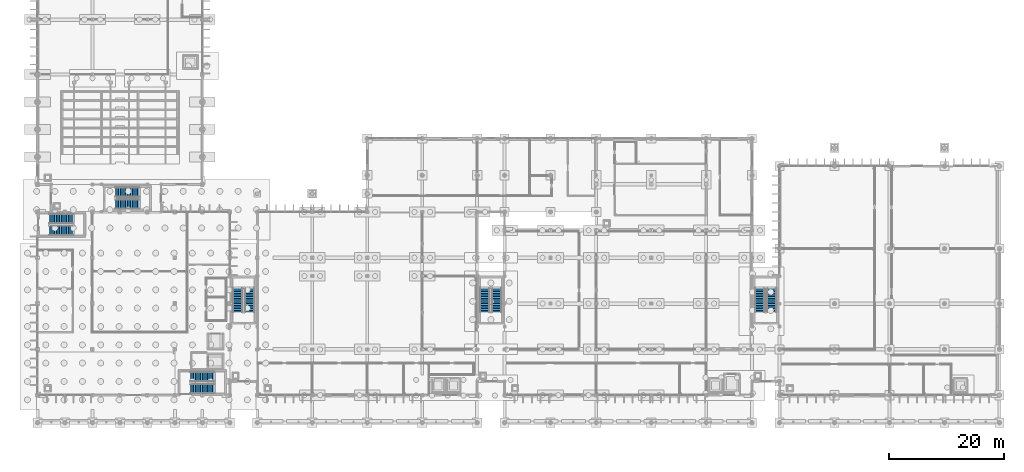
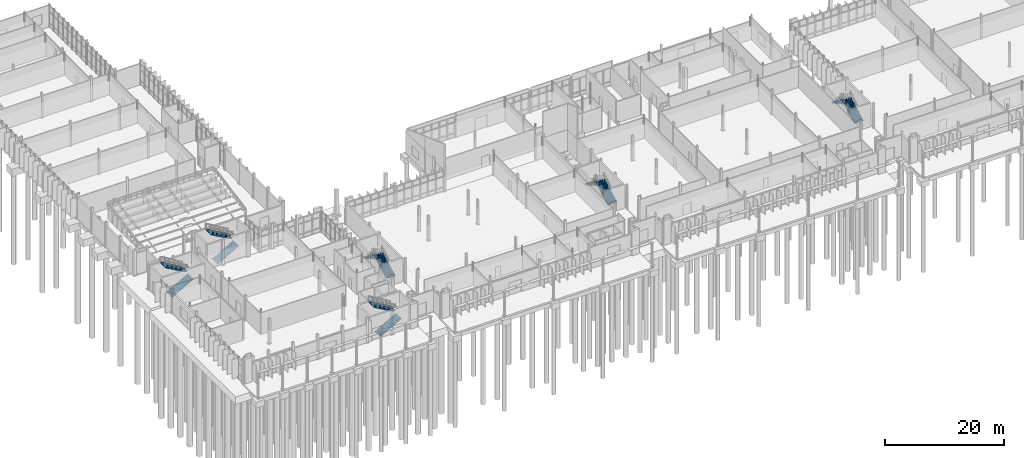
# One storey, part 66 of 111: 12 stair flights, 6 elements without a shape of their own.
"""IFC4 building model written with IfcOpenShell, lengths in metres."""

import ifcopenshell
import ifcopenshell.guid

model = None  # the IFC model being written
_history = None  # IfcOwnerHistory: only IFC2X3 demands one
_inside = {}  # id of a spatial element -> (the spatial element, [elements in it])
_under = {}  # id of a project, library or spatial element -> (it, [spatial elements below it])
_declared = {}  # id of a project -> (the project, [libraries it declares])
_typed = {}  # id of a type object -> (the type object, [elements of that type])
_made_of = {}  # id of a material, layer set ... -> (it, [elements and type objects made of it])


def new_model(schema):
    """Start an empty IFC model of exactly this schema.

    Asked for "IFC4X3", IfcOpenShell would pick the latest addendum, in which some entities
    have other attributes; the version numbers below select the first issue.
    IFC2X3 requires an IfcOwnerHistory on every rooted entity: one is made here for all.
    """
    global model, _history
    if schema == "IFC4X3":
        model = ifcopenshell.file(schema_version=(4, 3, 0, 0))
    else:
        model = ifcopenshell.file(schema=schema)
    _inside.clear()
    _under.clear()
    _declared.clear()
    _typed.clear()
    _made_of.clear()
    _history = None
    if model.schema == "IFC2X3":
        org = make("IfcOrganization", Name="unknown")
        user = make(
            "IfcPersonAndOrganization",
            ThePerson=make("IfcPerson", FamilyName="unknown"),
            TheOrganization=org,
        )
        app = make(
            "IfcApplication",
            ApplicationDeveloper=org,
            Version="unknown",
            ApplicationFullName="unknown",
            ApplicationIdentifier="unknown",
        )
        _history = make(
            "IfcOwnerHistory",
            OwningUser=user,
            OwningApplication=app,
            ChangeAction="ADDED",
            CreationDate=0,
        )
    return model


def make(cls, **values):
    """One entity of the class cls with the attributes given. An attribute that is None is left unset."""
    return model.create_entity(
        cls, **{name: value for name, value in values.items() if value is not None}
    )


def rooted(cls, **values):
    """An entity with a GlobalId (a new one), such as an element, a storey or a relation."""
    return make(cls, GlobalId=ifcopenshell.guid.new(), OwnerHistory=_history, **values)


def si_unit(unit_type, name, prefix=None):
    """IfcSIUnit, for example si_unit("LENGTHUNIT", "METRE", prefix="MILLI")."""
    return make("IfcSIUnit", UnitType=unit_type, Prefix=prefix, Name=name)


def assignment(units):
    """IfcUnitAssignment: the units of a project."""
    return None if units is None else make("IfcUnitAssignment", Units=units)


def point(xyz):
    """IfcCartesianPoint."""
    return None if xyz is None else make("IfcCartesianPoint", Coordinates=xyz)


def direction(xyz):
    """IfcDirection."""
    return None if xyz is None else make("IfcDirection", DirectionRatios=xyz)


def frame(location, z_axis=None, x_axis=None):
    """IfcAxis2Placement3D, a coordinate frame: its origin and axes. An axis left out is left unset."""
    return make(
        "IfcAxis2Placement3D",
        Location=point(location),
        Axis=direction(z_axis),
        RefDirection=direction(x_axis),
    )


def origin():
    """The frame at (0, 0, 0) with its axes left unset."""
    return frame((0.0, 0.0, 0.0))


def place(relative_to, where):
    """IfcLocalPlacement: puts the frame where relative to a parent placement (None: the world)."""
    return make(
        "IfcLocalPlacement", PlacementRelTo=relative_to, RelativePlacement=where
    )


def context(
    kind, dimensions, precision=None, world=None, true_north=None, identifier=None
):
    """IfcGeometricRepresentationContext, for example the 3D "Model" context."""
    return make(
        "IfcGeometricRepresentationContext",
        ContextIdentifier=identifier,
        ContextType=kind,
        CoordinateSpaceDimension=dimensions,
        Precision=precision,
        WorldCoordinateSystem=world,
        TrueNorth=true_north,
    )


def subcontext(parent, identifier, kind, view, scale=None):
    """IfcGeometricRepresentationSubContext, for example "Body" below "Model"."""
    return make(
        "IfcGeometricRepresentationSubContext",
        ContextIdentifier=identifier,
        ContextType=kind,
        ParentContext=parent,
        TargetScale=scale,
        TargetView=view,
    )


def project(units=None, contexts=None):
    """IfcProject with its units and contexts."""
    return rooted(
        "IfcProject",
        Name="project",
        RepresentationContexts=contexts,
        UnitsInContext=assignment(units),
    )


def spatial(cls, under=None, at=None, **own):
    """A site, building, storey or space (cls), placed at a placement, below another one or the project."""
    s = rooted(cls, ObjectPlacement=at, **own)
    if under is not None:
        _under.setdefault(under.id(), (under, []))[1].append(s)
    return s


def polyline(points):
    """IfcPolyline through the points."""
    return make("IfcPolyline", Points=[point(p) for p in points])


def outline(outer, holes=None, kind="AREA"):
    """IfcArbitraryClosedProfileDef: a profile drawn as a closed curve; with holes, ...WithVoids."""
    if holes is None:
        return make("IfcArbitraryClosedProfileDef", ProfileType=kind, OuterCurve=outer)
    return make(
        "IfcArbitraryProfileDefWithVoids",
        ProfileType=kind,
        OuterCurve=outer,
        InnerCurves=holes,
    )


def extrude(swept, where, along, depth):
    """IfcExtrudedAreaSolid: the profile swept, set in the frame where, extruded along a direction by depth."""
    return make(
        "IfcExtrudedAreaSolid",
        SweptArea=swept,
        Position=where,
        ExtrudedDirection=direction(along),
        Depth=depth,
    )


def shape(context_of_items, identifier, shape_type, items):
    """IfcShapeRepresentation: the items that make up one representation, for example the "Body"."""
    return make(
        "IfcShapeRepresentation",
        ContextOfItems=context_of_items,
        RepresentationIdentifier=identifier,
        RepresentationType=shape_type,
        Items=items,
    )


def material(Name=None, Category=None):
    """IfcMaterial."""
    return make("IfcMaterial", Name=Name, Category=Category)


def made_of(thing, what):
    """Note that an element or type object is made of a material, layer set ...; save() writes the relation."""
    if what is not None:
        _made_of.setdefault(what.id(), (what, []))[1].append(thing)
    return thing


def type_object(cls, material=None, **own):
    """A type object (cls), such as IfcWallType, which elements share."""
    return made_of(rooted(cls, **own), material)


def element(
    cls,
    number,
    at=None,
    inside=None,
    cuts=None,
    type_object=None,
    material=None,
    context=None,
    identifier="Body",
    shape_type=None,
    held_by="IfcProductDefinitionShape",
    body=None,
    shapes=None,
    **own,
):
    """One element of the class cls, such as IfcWall. Its Tag is "e" and its number.

    at: its placement. inside: the storey or other place that contains it. cuts: it is an
    opening in that element (IfcRelVoidsElement). A single representation is given by context,
    identifier, shape_type and body (its items); several are given by shapes. held_by: the class
    of the entity that holds the representations. save() writes the other relations.
    """
    e = rooted(cls, Tag="e%d" % number, ObjectPlacement=at, **own)
    if body is not None:
        shapes = [shape(context, identifier, shape_type, body)]
    if shapes is not None:
        e.Representation = make(held_by, Representations=shapes)
    if inside is not None:
        _inside.setdefault(inside.id(), (inside, []))[1].append(e)
    if cuts is not None:
        rooted(
            "IfcRelVoidsElement", RelatingBuildingElement=cuts, RelatedOpeningElement=e
        )
    if type_object is not None:
        _typed.setdefault(type_object.id(), (type_object, []))[1].append(e)
    return made_of(e, material)


def aggregate(whole, parts):
    """IfcRelAggregates: a whole, such as a stair, and the parts it consists of."""
    return rooted("IfcRelAggregates", RelatingObject=whole, RelatedObjects=parts)


def save(model, path):
    """Write the relations noted so far, then the file.

    IfcRelAggregates (storeys below a building ...), IfcRelContainedInSpatialStructure (elements
    in a storey), IfcRelDefinesByType, IfcRelAssociatesMaterial and IfcRelDeclares: one each for
    every whole, place, type object, material and project.
    """
    for whole, parts in _under.values():
        aggregate(whole, parts)
    for where, things in _inside.values():
        rooted(
            "IfcRelContainedInSpatialStructure",
            RelatedElements=things,
            RelatingStructure=where,
        )
    for kind, things in _typed.values():
        rooted("IfcRelDefinesByType", RelatedObjects=things, RelatingType=kind)
    for what, things in _made_of.values():
        rooted("IfcRelAssociatesMaterial", RelatedObjects=things, RelatingMaterial=what)
    for by, libraries in _declared.values():
        rooted("IfcRelDeclares", RelatingContext=by, RelatedDefinitions=libraries)
    model.write(path)


model = new_model("IFC4")

# Units and contexts
model_context = context("Model", 3, precision=1e-05, world=origin(), true_north=direction((0.0, 1.0)))
body_context = subcontext(model_context, "Body", "Model", "MODEL_VIEW")
ifc_project = project(units=[si_unit("LENGTHUNIT", "METRE"), si_unit("AREAUNIT", "SQUARE_METRE"), si_unit("VOLUMEUNIT", "CUBIC_METRE"), si_unit("PLANEANGLEUNIT", "RADIAN"), si_unit("MASSUNIT", "GRAM", prefix="KILO")], contexts=[model_context])

# Site, building, storey
site_placement = place(None, origin())
site = spatial("IfcSite", under=ifc_project, at=site_placement, CompositionType="ELEMENT")
building_placement = place(site_placement, origin())
building = spatial("IfcBuilding", under=site, at=building_placement, Name="Dunescarp Central Library", CompositionType="ELEMENT")
storey_placement = place(building_placement, origin())
storey = spatial("IfcBuildingStorey", under=building, at=storey_placement, Name="L00", CompositionType="ELEMENT", Elevation=0.0)

# Stair, stair flights
ifc_material = material(Name="Concrete C35/45", Category="concrete")
stair_type = type_object("IfcStairType", Name="ARC-STR-L00", PredefinedType="HALF_TURN_STAIR", material=ifc_material)
stair_1_placement = place(storey_placement, origin())
stair_1 = element("IfcStair", 1, at=stair_1_placement, inside=storey, type_object=stair_type, Name="L00 Protected escape stair ST-1", PredefinedType="HALF_TURN_STAIR")
stair_flight_type = type_object("IfcStairFlightType", Name="ARC-FLT-L00", PredefinedType="STRAIGHT", material=ifc_material)
stair_flight_1_placement = place(storey_placement, frame((26.699951171875, 5.9599609375, 0.0), z_axis=(0.0, 0.0, 1.0), x_axis=(1.0, 0.0, 0.0)))
stair_flight_1 = element("IfcStairFlight", 2, at=stair_flight_1_placement, type_object=stair_flight_type, Name="ST-1 flight 1", NumberOfRisers=15, NumberOfTreads=14, PredefinedType="STRAIGHT", RiserHeight=0.17, TreadLength=0.3, context=body_context, shape_type="SweptSolid", body=[
    extrude(outline(polyline([(0.0, 0.0), (0.0, 0.169921875), (0.300048828125, 0.169921875), (0.300048828125, 0.340087890625), (0.60009765625, 0.340087890625), (0.60009765625, 0.510009765625), (0.89990234375, 0.510009765625), (0.89990234375, 0.679931640625), (1.199951171875, 0.679931640625), (1.199951171875, 0.85009765625), (1.5, 0.85009765625), (1.5, 1.02001953125), (1.800048828125, 1.02001953125), (1.800048828125, 1.18994140625), (2.10009765625, 1.18994140625), (2.10009765625, 1.360107421875), (2.39990234375, 1.360107421875), (2.39990234375, 1.530029296875), (2.699951171875, 1.530029296875), (2.699951171875, 1.699951171875), (3.0, 1.699951171875), (3.0, 1.8701171875), (3.300048828125, 1.8701171875), (3.300048828125, 2.0400390625), (3.60009765625, 2.0400390625), (3.60009765625, 2.2099609375), (3.89990234375, 2.2099609375), (3.89990234375, 2.3798828125), (4.199951171875, 2.3798828125), (4.199951171875, 2.550048828125), (4.199951171875, 2.173095703125), (0.364990234375, 0.0), (0.0, 0.0)])), frame((0.0, 0.85986328125, 0.0), z_axis=(0.0, -1.0, 0.0), x_axis=(1.0, 0.0, 0.0)), (0.0, 0.0, 1.0), 1.719970703125),
])
stair_flight_2_placement = place(storey_placement, frame((30.89990234375, 8.0400390625, 2.550048828125), z_axis=(0.0, 0.0, 1.0), x_axis=(-1.0, 0.0, 0.0)))
stair_flight_2 = element("IfcStairFlight", 3, at=stair_flight_2_placement, type_object=stair_flight_type, Name="ST-1 flight 2", NumberOfRisers=15, NumberOfTreads=14, PredefinedType="STRAIGHT", RiserHeight=0.17, TreadLength=0.3, context=body_context, shape_type="SweptSolid", body=[
    extrude(outline(polyline([(0.0, 0.0), (0.0, 0.169921875), (0.300048828125, 0.169921875), (0.300048828125, 0.340087890625), (0.60009765625, 0.340087890625), (0.60009765625, 0.510009765625), (0.89990234375, 0.510009765625), (0.89990234375, 0.679931640625), (1.199951171875, 0.679931640625), (1.199951171875, 0.85009765625), (1.5, 0.85009765625), (1.5, 1.02001953125), (1.800048828125, 1.02001953125), (1.800048828125, 1.18994140625), (2.10009765625, 1.18994140625), (2.10009765625, 1.360107421875), (2.39990234375, 1.360107421875), (2.39990234375, 1.530029296875), (2.699951171875, 1.530029296875), (2.699951171875, 1.699951171875), (3.0, 1.699951171875), (3.0, 1.8701171875), (3.300048828125, 1.8701171875), (3.300048828125, 2.0400390625), (3.60009765625, 2.0400390625), (3.60009765625, 2.2099609375), (3.89990234375, 2.2099609375), (3.89990234375, 2.3798828125), (4.199951171875, 2.3798828125), (4.199951171875, 2.550048828125), (4.199951171875, 2.173095703125), (0.364990234375, 0.0), (0.0, 0.0)])), frame((0.0, 0.85986328125, 0.0), z_axis=(0.0, -1.0, 0.0), x_axis=(1.0, 0.0, 0.0)), (0.0, 0.0, 1.0), 1.719970703125),
])
aggregate(stair_1, [stair_flight_1, stair_flight_2])

stair_2_placement = place(storey_placement, origin())
stair_2 = element("IfcStair", 4, at=stair_2_placement, inside=storey, type_object=stair_type, Name="L00 Protected escape stair ST-6", PredefinedType="HALF_TURN_STAIR")
stair_flight_3_placement = place(storey_placement, frame((2.10009765625, 33.56005859375, 0.0), z_axis=(0.0, 0.0, 1.0), x_axis=(1.0, 0.0, 0.0)))
stair_flight_3 = element("IfcStairFlight", 5, at=stair_flight_3_placement, type_object=stair_flight_type, Name="ST-6 flight 1", NumberOfRisers=15, NumberOfTreads=14, PredefinedType="STRAIGHT", RiserHeight=0.17, TreadLength=0.3, context=body_context, shape_type="SweptSolid", body=[
    extrude(outline(polyline([(0.0, 0.0), (0.0, 0.169921875), (0.300048828125, 0.169921875), (0.300048828125, 0.340087890625), (0.60009765625, 0.340087890625), (0.60009765625, 0.510009765625), (0.89990234375, 0.510009765625), (0.89990234375, 0.679931640625), (1.199951171875, 0.679931640625), (1.199951171875, 0.85009765625), (1.5, 0.85009765625), (1.5, 1.02001953125), (1.800048828125, 1.02001953125), (1.800048828125, 1.18994140625), (2.10009765625, 1.18994140625), (2.10009765625, 1.360107421875), (2.39990234375, 1.360107421875), (2.39990234375, 1.530029296875), (2.699951171875, 1.530029296875), (2.699951171875, 1.699951171875), (3.0, 1.699951171875), (3.0, 1.8701171875), (3.300048828125, 1.8701171875), (3.300048828125, 2.0400390625), (3.60009765625, 2.0400390625), (3.60009765625, 2.2099609375), (3.89990234375, 2.2099609375), (3.89990234375, 2.3798828125), (4.199951171875, 2.3798828125), (4.199951171875, 2.550048828125), (4.199951171875, 2.173095703125), (0.364990234375, 0.0), (0.0, 0.0)])), frame((0.0, 0.85986328125, 0.0), z_axis=(0.0, -1.0, 0.0), x_axis=(1.0, 0.0, 0.0)), (0.0, 0.0, 1.0), 1.719970703125),
])
stair_flight_4_placement = place(storey_placement, frame((6.300048828125, 35.639892578125, 2.550048828125), z_axis=(0.0, 0.0, 1.0), x_axis=(-1.0, 0.0, 0.0)))
stair_flight_4 = element("IfcStairFlight", 6, at=stair_flight_4_placement, type_object=stair_flight_type, Name="ST-6 flight 2", NumberOfRisers=15, NumberOfTreads=14, PredefinedType="STRAIGHT", RiserHeight=0.17, TreadLength=0.3, context=body_context, shape_type="SweptSolid", body=[
    extrude(outline(polyline([(0.0, 0.0), (0.0, 0.169921875), (0.300048828125, 0.169921875), (0.300048828125, 0.340087890625), (0.60009765625, 0.340087890625), (0.60009765625, 0.510009765625), (0.89990234375, 0.510009765625), (0.89990234375, 0.679931640625), (1.199951171875, 0.679931640625), (1.199951171875, 0.85009765625), (1.5, 0.85009765625), (1.5, 1.02001953125), (1.800048828125, 1.02001953125), (1.800048828125, 1.18994140625), (2.10009765625, 1.18994140625), (2.10009765625, 1.360107421875), (2.39990234375, 1.360107421875), (2.39990234375, 1.530029296875), (2.699951171875, 1.530029296875), (2.699951171875, 1.699951171875), (3.0, 1.699951171875), (3.0, 1.8701171875), (3.300048828125, 1.8701171875), (3.300048828125, 2.0400390625), (3.60009765625, 2.0400390625), (3.60009765625, 2.2099609375), (3.89990234375, 2.2099609375), (3.89990234375, 2.3798828125), (4.199951171875, 2.3798828125), (4.199951171875, 2.550048828125), (4.199951171875, 2.173095703125), (0.364990234375, 0.0), (0.0, 0.0)])), frame((0.0, 0.85986328125, 0.0), z_axis=(0.0, -1.0, 0.0), x_axis=(1.0, 0.0, 0.0)), (0.0, 0.0, 1.0), 1.719970703125),
])
aggregate(stair_2, [stair_flight_3, stair_flight_4])

stair_3_placement = place(storey_placement, origin())
stair_3 = element("IfcStair", 7, at=stair_3_placement, inside=storey, type_object=stair_type, Name="L00 Protected escape stair ST-2", PredefinedType="HALF_TURN_STAIR")
stair_flight_5_placement = place(storey_placement, frame((37.0400390625, 19.300048828125, 0.0), z_axis=(0.0, 0.0, 1.0), x_axis=(0.0, 1.0, 0.0)))
stair_flight_5 = element("IfcStairFlight", 8, at=stair_flight_5_placement, type_object=stair_flight_type, Name="ST-2 flight 1", NumberOfRisers=15, NumberOfTreads=14, PredefinedType="STRAIGHT", RiserHeight=0.17, TreadLength=0.3, context=body_context, shape_type="SweptSolid", body=[
    extrude(outline(polyline([(0.0, 0.0), (0.0, 0.169921875), (0.300048828125, 0.169921875), (0.300048828125, 0.340087890625), (0.60009765625, 0.340087890625), (0.60009765625, 0.510009765625), (0.89990234375, 0.510009765625), (0.89990234375, 0.679931640625), (1.199951171875, 0.679931640625), (1.199951171875, 0.85009765625), (1.5, 0.85009765625), (1.5, 1.02001953125), (1.800048828125, 1.02001953125), (1.800048828125, 1.18994140625), (2.10009765625, 1.18994140625), (2.10009765625, 1.360107421875), (2.39990234375, 1.360107421875), (2.39990234375, 1.530029296875), (2.699951171875, 1.530029296875), (2.699951171875, 1.699951171875), (3.0, 1.699951171875), (3.0, 1.8701171875), (3.300048828125, 1.8701171875), (3.300048828125, 2.0400390625), (3.60009765625, 2.0400390625), (3.60009765625, 2.2099609375), (3.89990234375, 2.2099609375), (3.89990234375, 2.3798828125), (4.199951171875, 2.3798828125), (4.199951171875, 2.550048828125), (4.199951171875, 2.173095703125), (0.364990234375, 0.0), (0.0, 0.0)])), frame((0.0, 0.85986328125, 0.0), z_axis=(0.0, -1.0, 0.0), x_axis=(1.0, 0.0, 0.0)), (0.0, 0.0, 1.0), 1.719970703125),
])
stair_flight_6_placement = place(storey_placement, frame((34.9599609375, 23.5, 2.550048828125), z_axis=(0.0, 0.0, 1.0), x_axis=(0.0, -1.0, 0.0)))
stair_flight_6 = element("IfcStairFlight", 9, at=stair_flight_6_placement, type_object=stair_flight_type, Name="ST-2 flight 2", NumberOfRisers=15, NumberOfTreads=14, PredefinedType="STRAIGHT", RiserHeight=0.17, TreadLength=0.3, context=body_context, shape_type="SweptSolid", body=[
    extrude(outline(polyline([(0.0, 0.0), (0.0, 0.169921875), (0.300048828125, 0.169921875), (0.300048828125, 0.340087890625), (0.60009765625, 0.340087890625), (0.60009765625, 0.510009765625), (0.89990234375, 0.510009765625), (0.89990234375, 0.679931640625), (1.199951171875, 0.679931640625), (1.199951171875, 0.85009765625), (1.5, 0.85009765625), (1.5, 1.02001953125), (1.800048828125, 1.02001953125), (1.800048828125, 1.18994140625), (2.10009765625, 1.18994140625), (2.10009765625, 1.360107421875), (2.39990234375, 1.360107421875), (2.39990234375, 1.530029296875), (2.699951171875, 1.530029296875), (2.699951171875, 1.699951171875), (3.0, 1.699951171875), (3.0, 1.8701171875), (3.300048828125, 1.8701171875), (3.300048828125, 2.0400390625), (3.60009765625, 2.0400390625), (3.60009765625, 2.2099609375), (3.89990234375, 2.2099609375), (3.89990234375, 2.3798828125), (4.199951171875, 2.3798828125), (4.199951171875, 2.550048828125), (4.199951171875, 2.173095703125), (0.364990234375, 0.0), (0.0, 0.0)])), frame((0.0, 0.85986328125, 0.0), z_axis=(0.0, -1.0, 0.0), x_axis=(1.0, 0.0, 0.0)), (0.0, 0.0, 1.0), 1.719970703125),
])
aggregate(stair_3, [stair_flight_5, stair_flight_6])

stair_4_placement = place(storey_placement, origin())
stair_4 = element("IfcStair", 10, at=stair_4_placement, inside=storey, type_object=stair_type, Name="L00 Protected escape stair ST-3", PredefinedType="HALF_TURN_STAIR")
stair_flight_7_placement = place(storey_placement, frame((80.239990234375, 19.300048828125, 0.0), z_axis=(0.0, 0.0, 1.0), x_axis=(0.0, 1.0, 0.0)))
stair_flight_7 = element("IfcStairFlight", 11, at=stair_flight_7_placement, type_object=stair_flight_type, Name="ST-3 flight 1", NumberOfRisers=15, NumberOfTreads=14, PredefinedType="STRAIGHT", RiserHeight=0.17, TreadLength=0.3, context=body_context, shape_type="SweptSolid", body=[
    extrude(outline(polyline([(0.0, 0.0), (0.0, 0.169921875), (0.300048828125, 0.169921875), (0.300048828125, 0.340087890625), (0.60009765625, 0.340087890625), (0.60009765625, 0.510009765625), (0.89990234375, 0.510009765625), (0.89990234375, 0.679931640625), (1.199951171875, 0.679931640625), (1.199951171875, 0.85009765625), (1.5, 0.85009765625), (1.5, 1.02001953125), (1.800048828125, 1.02001953125), (1.800048828125, 1.18994140625), (2.10009765625, 1.18994140625), (2.10009765625, 1.360107421875), (2.39990234375, 1.360107421875), (2.39990234375, 1.530029296875), (2.699951171875, 1.530029296875), (2.699951171875, 1.699951171875), (3.0, 1.699951171875), (3.0, 1.8701171875), (3.300048828125, 1.8701171875), (3.300048828125, 2.0400390625), (3.60009765625, 2.0400390625), (3.60009765625, 2.2099609375), (3.89990234375, 2.2099609375), (3.89990234375, 2.3798828125), (4.199951171875, 2.3798828125), (4.199951171875, 2.550048828125), (4.199951171875, 2.173095703125), (0.364990234375, 0.0), (0.0, 0.0)])), frame((0.0, 0.85986328125, 0.0), z_axis=(0.0, -1.0, 0.0), x_axis=(1.0, 0.0, 0.0)), (0.0, 0.0, 1.0), 1.719970703125),
])
stair_flight_8_placement = place(storey_placement, frame((78.159912109375, 23.5, 2.550048828125), z_axis=(0.0, 0.0, 1.0), x_axis=(0.0, -1.0, 0.0)))
stair_flight_8 = element("IfcStairFlight", 12, at=stair_flight_8_placement, type_object=stair_flight_type, Name="ST-3 flight 2", NumberOfRisers=15, NumberOfTreads=14, PredefinedType="STRAIGHT", RiserHeight=0.17, TreadLength=0.3, context=body_context, shape_type="SweptSolid", body=[
    extrude(outline(polyline([(0.0, 0.0), (0.0, 0.169921875), (0.300048828125, 0.169921875), (0.300048828125, 0.340087890625), (0.60009765625, 0.340087890625), (0.60009765625, 0.510009765625), (0.89990234375, 0.510009765625), (0.89990234375, 0.679931640625), (1.199951171875, 0.679931640625), (1.199951171875, 0.85009765625), (1.5, 0.85009765625), (1.5, 1.02001953125), (1.800048828125, 1.02001953125), (1.800048828125, 1.18994140625), (2.10009765625, 1.18994140625), (2.10009765625, 1.360107421875), (2.39990234375, 1.360107421875), (2.39990234375, 1.530029296875), (2.699951171875, 1.530029296875), (2.699951171875, 1.699951171875), (3.0, 1.699951171875), (3.0, 1.8701171875), (3.300048828125, 1.8701171875), (3.300048828125, 2.0400390625), (3.60009765625, 2.0400390625), (3.60009765625, 2.2099609375), (3.89990234375, 2.2099609375), (3.89990234375, 2.3798828125), (4.199951171875, 2.3798828125), (4.199951171875, 2.550048828125), (4.199951171875, 2.173095703125), (0.364990234375, 0.0), (0.0, 0.0)])), frame((0.0, 0.85986328125, 0.0), z_axis=(0.0, -1.0, 0.0), x_axis=(1.0, 0.0, 0.0)), (0.0, 0.0, 1.0), 1.719970703125),
])
aggregate(stair_4, [stair_flight_7, stair_flight_8])

stair_5_placement = place(storey_placement, origin())
stair_5 = element("IfcStair", 13, at=stair_5_placement, inside=storey, type_object=stair_type, Name="L00 Protected escape stair ST-5", PredefinedType="HALF_TURN_STAIR")
stair_flight_9_placement = place(storey_placement, frame((128.239990234375, 19.300048828125, 0.0), z_axis=(0.0, 0.0, 1.0), x_axis=(0.0, 1.0, 0.0)))
stair_flight_9 = element("IfcStairFlight", 14, at=stair_flight_9_placement, type_object=stair_flight_type, Name="ST-5 flight 1", NumberOfRisers=15, NumberOfTreads=14, PredefinedType="STRAIGHT", RiserHeight=0.17, TreadLength=0.3, context=body_context, shape_type="SweptSolid", body=[
    extrude(outline(polyline([(0.0, 0.0), (0.0, 0.169921875), (0.300048828125, 0.169921875), (0.300048828125, 0.340087890625), (0.60009765625, 0.340087890625), (0.60009765625, 0.510009765625), (0.89990234375, 0.510009765625), (0.89990234375, 0.679931640625), (1.199951171875, 0.679931640625), (1.199951171875, 0.85009765625), (1.5, 0.85009765625), (1.5, 1.02001953125), (1.800048828125, 1.02001953125), (1.800048828125, 1.18994140625), (2.10009765625, 1.18994140625), (2.10009765625, 1.360107421875), (2.39990234375, 1.360107421875), (2.39990234375, 1.530029296875), (2.699951171875, 1.530029296875), (2.699951171875, 1.699951171875), (3.0, 1.699951171875), (3.0, 1.8701171875), (3.300048828125, 1.8701171875), (3.300048828125, 2.0400390625), (3.60009765625, 2.0400390625), (3.60009765625, 2.2099609375), (3.89990234375, 2.2099609375), (3.89990234375, 2.3798828125), (4.199951171875, 2.3798828125), (4.199951171875, 2.550048828125), (4.199951171875, 2.173095703125), (0.364990234375, 0.0), (0.0, 0.0)])), frame((0.0, 0.85986328125, 0.0), z_axis=(0.0, -1.0, 0.0), x_axis=(1.0, 0.0, 0.0)), (0.0, 0.0, 1.0), 1.719970703125),
])
stair_flight_10_placement = place(storey_placement, frame((126.159912109375, 23.5, 2.550048828125), z_axis=(0.0, 0.0, 1.0), x_axis=(0.0, -1.0, 0.0)))
stair_flight_10 = element("IfcStairFlight", 15, at=stair_flight_10_placement, type_object=stair_flight_type, Name="ST-5 flight 2", NumberOfRisers=15, NumberOfTreads=14, PredefinedType="STRAIGHT", RiserHeight=0.17, TreadLength=0.3, context=body_context, shape_type="SweptSolid", body=[
    extrude(outline(polyline([(0.0, 0.0), (0.0, 0.169921875), (0.300048828125, 0.169921875), (0.300048828125, 0.340087890625), (0.60009765625, 0.340087890625), (0.60009765625, 0.510009765625), (0.89990234375, 0.510009765625), (0.89990234375, 0.679931640625), (1.199951171875, 0.679931640625), (1.199951171875, 0.85009765625), (1.5, 0.85009765625), (1.5, 1.02001953125), (1.800048828125, 1.02001953125), (1.800048828125, 1.18994140625), (2.10009765625, 1.18994140625), (2.10009765625, 1.360107421875), (2.39990234375, 1.360107421875), (2.39990234375, 1.530029296875), (2.699951171875, 1.530029296875), (2.699951171875, 1.699951171875), (3.0, 1.699951171875), (3.0, 1.8701171875), (3.300048828125, 1.8701171875), (3.300048828125, 2.0400390625), (3.60009765625, 2.0400390625), (3.60009765625, 2.2099609375), (3.89990234375, 2.2099609375), (3.89990234375, 2.3798828125), (4.199951171875, 2.3798828125), (4.199951171875, 2.550048828125), (4.199951171875, 2.173095703125), (0.364990234375, 0.0), (0.0, 0.0)])), frame((0.0, 0.85986328125, 0.0), z_axis=(0.0, -1.0, 0.0), x_axis=(1.0, 0.0, 0.0)), (0.0, 0.0, 1.0), 1.719970703125),
])
aggregate(stair_5, [stair_flight_9, stair_flight_10])

stair_6_placement = place(storey_placement, origin())
stair_6 = element("IfcStair", 16, at=stair_6_placement, inside=storey, type_object=stair_type, Name="L00 Protected escape stair ST-4", PredefinedType="HALF_TURN_STAIR")
stair_flight_11_placement = place(storey_placement, frame((13.60009765625, 38.159912109375, 0.0), z_axis=(0.0, 0.0, 1.0), x_axis=(1.0, 0.0, 0.0)))
stair_flight_11 = element("IfcStairFlight", 17, at=stair_flight_11_placement, type_object=stair_flight_type, Name="ST-4 flight 1", NumberOfRisers=15, NumberOfTreads=14, PredefinedType="STRAIGHT", RiserHeight=0.17, TreadLength=0.3, context=body_context, shape_type="SweptSolid", body=[
    extrude(outline(polyline([(0.0, 0.0), (0.0, 0.169921875), (0.300048828125, 0.169921875), (0.300048828125, 0.340087890625), (0.60009765625, 0.340087890625), (0.60009765625, 0.510009765625), (0.89990234375, 0.510009765625), (0.89990234375, 0.679931640625), (1.199951171875, 0.679931640625), (1.199951171875, 0.85009765625), (1.5, 0.85009765625), (1.5, 1.02001953125), (1.800048828125, 1.02001953125), (1.800048828125, 1.18994140625), (2.10009765625, 1.18994140625), (2.10009765625, 1.360107421875), (2.39990234375, 1.360107421875), (2.39990234375, 1.530029296875), (2.699951171875, 1.530029296875), (2.699951171875, 1.699951171875), (3.0, 1.699951171875), (3.0, 1.8701171875), (3.300048828125, 1.8701171875), (3.300048828125, 2.0400390625), (3.60009765625, 2.0400390625), (3.60009765625, 2.2099609375), (3.89990234375, 2.2099609375), (3.89990234375, 2.3798828125), (4.199951171875, 2.3798828125), (4.199951171875, 2.550048828125), (4.199951171875, 2.173095703125), (0.364990234375, 0.0), (0.0, 0.0)])), frame((0.0, 0.85986328125, 0.0), z_axis=(0.0, -1.0, 0.0), x_axis=(1.0, 0.0, 0.0)), (0.0, 0.0, 1.0), 1.719970703125),
])
stair_flight_12_placement = place(storey_placement, frame((17.800048828125, 40.239990234375, 2.550048828125), z_axis=(0.0, 0.0, 1.0), x_axis=(-1.0, 0.0, 0.0)))
stair_flight_12 = element("IfcStairFlight", 18, at=stair_flight_12_placement, type_object=stair_flight_type, Name="ST-4 flight 2", NumberOfRisers=15, NumberOfTreads=14, PredefinedType="STRAIGHT", RiserHeight=0.17, TreadLength=0.3, context=body_context, shape_type="SweptSolid", body=[
    extrude(outline(polyline([(0.0, 0.0), (0.0, 0.169921875), (0.300048828125, 0.169921875), (0.300048828125, 0.340087890625), (0.60009765625, 0.340087890625), (0.60009765625, 0.510009765625), (0.89990234375, 0.510009765625), (0.89990234375, 0.679931640625), (1.199951171875, 0.679931640625), (1.199951171875, 0.85009765625), (1.5, 0.85009765625), (1.5, 1.02001953125), (1.800048828125, 1.02001953125), (1.800048828125, 1.18994140625), (2.10009765625, 1.18994140625), (2.10009765625, 1.360107421875), (2.39990234375, 1.360107421875), (2.39990234375, 1.530029296875), (2.699951171875, 1.530029296875), (2.699951171875, 1.699951171875), (3.0, 1.699951171875), (3.0, 1.8701171875), (3.300048828125, 1.8701171875), (3.300048828125, 2.0400390625), (3.60009765625, 2.0400390625), (3.60009765625, 2.2099609375), (3.89990234375, 2.2099609375), (3.89990234375, 2.3798828125), (4.199951171875, 2.3798828125), (4.199951171875, 2.550048828125), (4.199951171875, 2.173095703125), (0.364990234375, 0.0), (0.0, 0.0)])), frame((0.0, 0.85986328125, 0.0), z_axis=(0.0, -1.0, 0.0), x_axis=(1.0, 0.0, 0.0)), (0.0, 0.0, 1.0), 1.719970703125),
])
aggregate(stair_6, [stair_flight_11, stair_flight_12])

save(model, "model.ifc")
